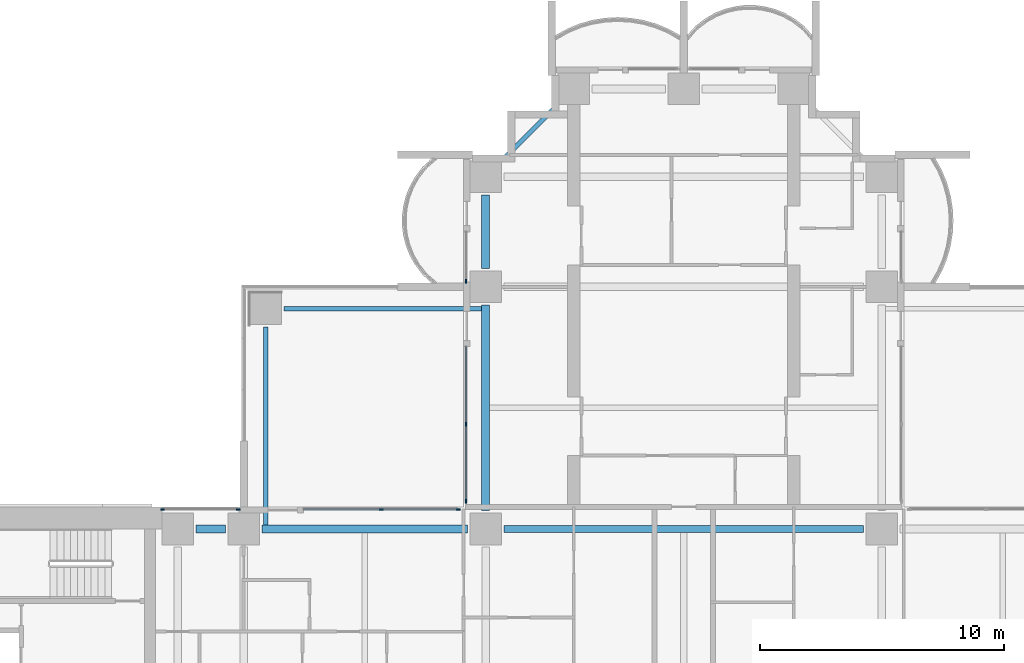
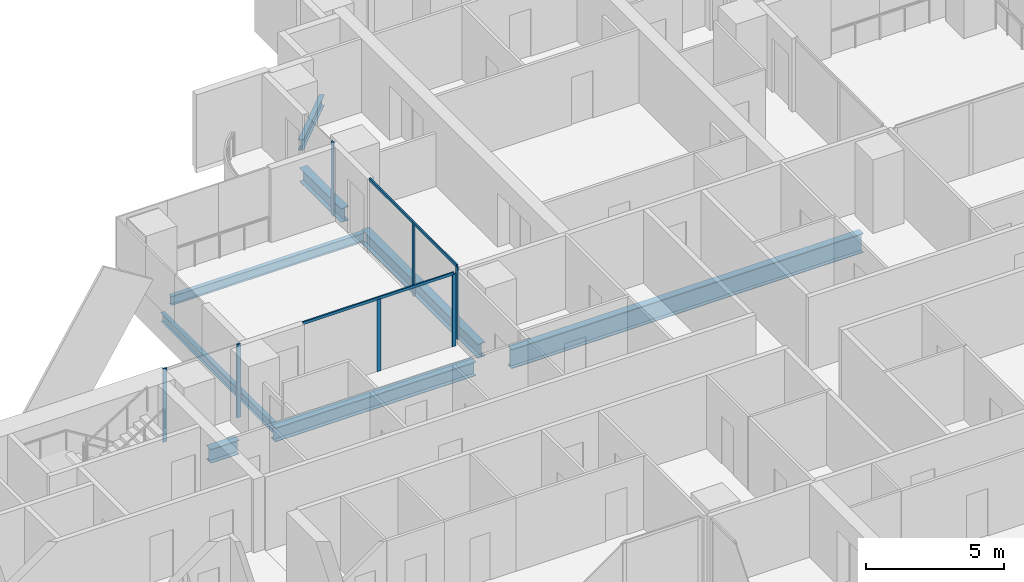
# One storey, part 6 of 23: 9 members, 8 beams, 4 elements without a shape of their own.
"""IFC4 building model written with IfcOpenShell, lengths in metres."""

import ifcopenshell
import ifcopenshell.guid

model = None  # the IFC model being written
_history = None  # IfcOwnerHistory: only IFC2X3 demands one
_inside = {}  # id of a spatial element -> (the spatial element, [elements in it])
_under = {}  # id of a project, library or spatial element -> (it, [spatial elements below it])
_declared = {}  # id of a project -> (the project, [libraries it declares])
_typed = {}  # id of a type object -> (the type object, [elements of that type])
_made_of = {}  # id of a material, layer set ... -> (it, [elements and type objects made of it])


def new_model(schema):
    """Start an empty IFC model of exactly this schema.

    Asked for "IFC4X3", IfcOpenShell would pick the latest addendum, in which some entities
    have other attributes; the version numbers below select the first issue.
    IFC2X3 requires an IfcOwnerHistory on every rooted entity: one is made here for all.
    """
    global model, _history
    if schema == "IFC4X3":
        model = ifcopenshell.file(schema_version=(4, 3, 0, 0))
    else:
        model = ifcopenshell.file(schema=schema)
    _inside.clear()
    _under.clear()
    _declared.clear()
    _typed.clear()
    _made_of.clear()
    _history = None
    if model.schema == "IFC2X3":
        org = make("IfcOrganization", Name="unknown")
        user = make(
            "IfcPersonAndOrganization",
            ThePerson=make("IfcPerson", FamilyName="unknown"),
            TheOrganization=org,
        )
        app = make(
            "IfcApplication",
            ApplicationDeveloper=org,
            Version="unknown",
            ApplicationFullName="unknown",
            ApplicationIdentifier="unknown",
        )
        _history = make(
            "IfcOwnerHistory",
            OwningUser=user,
            OwningApplication=app,
            ChangeAction="ADDED",
            CreationDate=0,
        )
    return model


def make(cls, **values):
    """One entity of the class cls with the attributes given. An attribute that is None is left unset."""
    return model.create_entity(
        cls, **{name: value for name, value in values.items() if value is not None}
    )


def rooted(cls, **values):
    """An entity with a GlobalId (a new one), such as an element, a storey or a relation."""
    return make(cls, GlobalId=ifcopenshell.guid.new(), OwnerHistory=_history, **values)


def si_unit(unit_type, name, prefix=None):
    """IfcSIUnit, for example si_unit("LENGTHUNIT", "METRE", prefix="MILLI")."""
    return make("IfcSIUnit", UnitType=unit_type, Prefix=prefix, Name=name)


def assignment(units):
    """IfcUnitAssignment: the units of a project."""
    return None if units is None else make("IfcUnitAssignment", Units=units)


def point(xyz):
    """IfcCartesianPoint."""
    return None if xyz is None else make("IfcCartesianPoint", Coordinates=xyz)


def direction(xyz):
    """IfcDirection."""
    return None if xyz is None else make("IfcDirection", DirectionRatios=xyz)


def frame(location, z_axis=None, x_axis=None):
    """IfcAxis2Placement3D, a coordinate frame: its origin and axes. An axis left out is left unset."""
    return make(
        "IfcAxis2Placement3D",
        Location=point(location),
        Axis=direction(z_axis),
        RefDirection=direction(x_axis),
    )


def frame_2d(location, x_axis=None):
    """IfcAxis2Placement2D, a coordinate frame in the plane: its origin and x axis."""
    return make(
        "IfcAxis2Placement2D", Location=point(location), RefDirection=direction(x_axis)
    )


def origin():
    """The frame at (0, 0, 0) with its axes left unset."""
    return frame((0.0, 0.0, 0.0))


def origin_2d():
    """The frame at (0, 0) in the plane with its x axis left unset."""
    return frame_2d((0.0, 0.0))


def place(relative_to, where):
    """IfcLocalPlacement: puts the frame where relative to a parent placement (None: the world)."""
    return make(
        "IfcLocalPlacement", PlacementRelTo=relative_to, RelativePlacement=where
    )


def context(
    kind, dimensions, precision=None, world=None, true_north=None, identifier=None
):
    """IfcGeometricRepresentationContext, for example the 3D "Model" context."""
    return make(
        "IfcGeometricRepresentationContext",
        ContextIdentifier=identifier,
        ContextType=kind,
        CoordinateSpaceDimension=dimensions,
        Precision=precision,
        WorldCoordinateSystem=world,
        TrueNorth=true_north,
    )


def subcontext(parent, identifier, kind, view, scale=None):
    """IfcGeometricRepresentationSubContext, for example "Body" below "Model"."""
    return make(
        "IfcGeometricRepresentationSubContext",
        ContextIdentifier=identifier,
        ContextType=kind,
        ParentContext=parent,
        TargetScale=scale,
        TargetView=view,
    )


def project(units=None, contexts=None):
    """IfcProject with its units and contexts."""
    return rooted(
        "IfcProject",
        Name="project",
        RepresentationContexts=contexts,
        UnitsInContext=assignment(units),
    )


def spatial(cls, under=None, at=None, **own):
    """A site, building, storey or space (cls), placed at a placement, below another one or the project."""
    s = rooted(cls, ObjectPlacement=at, **own)
    if under is not None:
        _under.setdefault(under.id(), (under, []))[1].append(s)
    return s


def profile(cls, at=None, kind="AREA", **sizes):
    """A parametric profile (cls). Its sizes go by their IFC names, for example OverallWidth=200.0."""
    return make(cls, ProfileType=kind, Position=at, **sizes)


def rectangle(**sizes):
    """IfcRectangleProfileDef."""
    return profile("IfcRectangleProfileDef", **sizes)


def i_section(**sizes):
    """IfcIShapeProfileDef."""
    return profile("IfcIShapeProfileDef", **sizes)


def extrude(swept, where, along, depth):
    """IfcExtrudedAreaSolid: the profile swept, set in the frame where, extruded along a direction by depth."""
    return make(
        "IfcExtrudedAreaSolid",
        SweptArea=swept,
        Position=where,
        ExtrudedDirection=direction(along),
        Depth=depth,
    )


def shape(context_of_items, identifier, shape_type, items):
    """IfcShapeRepresentation: the items that make up one representation, for example the "Body"."""
    return make(
        "IfcShapeRepresentation",
        ContextOfItems=context_of_items,
        RepresentationIdentifier=identifier,
        RepresentationType=shape_type,
        Items=items,
    )


def material(Name=None, Category=None):
    """IfcMaterial."""
    return make("IfcMaterial", Name=Name, Category=Category)


def material_profile(
    of_material, cross_section, Name=None, Category=None, Priority=None
):
    """IfcMaterialProfile: a cross section and its material."""
    return make(
        "IfcMaterialProfile",
        Name=Name,
        Material=of_material,
        Profile=cross_section,
        Priority=Priority,
        Category=Category,
    )


def profile_set(profiles, Name=None, composite=None):
    """IfcMaterialProfileSet."""
    return make(
        "IfcMaterialProfileSet",
        Name=Name,
        MaterialProfiles=profiles,
        CompositeProfile=composite,
    )


def made_of(thing, what):
    """Note that an element or type object is made of a material, layer set ...; save() writes the relation."""
    if what is not None:
        _made_of.setdefault(what.id(), (what, []))[1].append(thing)
    return thing


def type_object(cls, material=None, **own):
    """A type object (cls), such as IfcWallType, which elements share."""
    return made_of(rooted(cls, **own), material)


def element(
    cls,
    number,
    at=None,
    inside=None,
    cuts=None,
    type_object=None,
    material=None,
    context=None,
    identifier="Body",
    shape_type=None,
    held_by="IfcProductDefinitionShape",
    body=None,
    shapes=None,
    **own,
):
    """One element of the class cls, such as IfcWall. Its Tag is "e" and its number.

    at: its placement. inside: the storey or other place that contains it. cuts: it is an
    opening in that element (IfcRelVoidsElement). A single representation is given by context,
    identifier, shape_type and body (its items); several are given by shapes. held_by: the class
    of the entity that holds the representations. save() writes the other relations.
    """
    e = rooted(cls, Tag="e%d" % number, ObjectPlacement=at, **own)
    if body is not None:
        shapes = [shape(context, identifier, shape_type, body)]
    if shapes is not None:
        e.Representation = make(held_by, Representations=shapes)
    if inside is not None:
        _inside.setdefault(inside.id(), (inside, []))[1].append(e)
    if cuts is not None:
        rooted(
            "IfcRelVoidsElement", RelatingBuildingElement=cuts, RelatedOpeningElement=e
        )
    if type_object is not None:
        _typed.setdefault(type_object.id(), (type_object, []))[1].append(e)
    return made_of(e, material)


def aggregate(whole, parts):
    """IfcRelAggregates: a whole, such as a stair, and the parts it consists of."""
    return rooted("IfcRelAggregates", RelatingObject=whole, RelatedObjects=parts)


def save(model, path):
    """Write the relations noted so far, then the file.

    IfcRelAggregates (storeys below a building ...), IfcRelContainedInSpatialStructure (elements
    in a storey), IfcRelDefinesByType, IfcRelAssociatesMaterial and IfcRelDeclares: one each for
    every whole, place, type object, material and project.
    """
    for whole, parts in _under.values():
        aggregate(whole, parts)
    for where, things in _inside.values():
        rooted(
            "IfcRelContainedInSpatialStructure",
            RelatedElements=things,
            RelatingStructure=where,
        )
    for kind, things in _typed.values():
        rooted("IfcRelDefinesByType", RelatedObjects=things, RelatingType=kind)
    for what, things in _made_of.values():
        rooted("IfcRelAssociatesMaterial", RelatedObjects=things, RelatingMaterial=what)
    for by, libraries in _declared.values():
        rooted("IfcRelDeclares", RelatingContext=by, RelatedDefinitions=libraries)
    model.write(path)


model = new_model("IFC4")

# Units and contexts
model_context = context("Model", 3, precision=1e-05, world=origin(), true_north=direction((0.0, 1.0)))
body_context = subcontext(model_context, "Body", "Model", "MODEL_VIEW")
ifc_project = project(units=[si_unit("LENGTHUNIT", "METRE"), si_unit("AREAUNIT", "SQUARE_METRE"), si_unit("VOLUMEUNIT", "CUBIC_METRE"), si_unit("PLANEANGLEUNIT", "RADIAN"), si_unit("MASSUNIT", "GRAM", prefix="KILO")], contexts=[model_context])

# Site, building, storey
site_placement = place(None, origin())
site = spatial("IfcSite", under=ifc_project, at=site_placement, CompositionType="ELEMENT")
building_placement = place(site_placement, origin())
building = spatial("IfcBuilding", under=site, at=building_placement, Name="Perihelion Cross Residences", CompositionType="ELEMENT")
storey_placement = place(building_placement, frame((0.0, 0.0, 36.5)))
storey = spatial("IfcBuildingStorey", under=building, at=storey_placement, Name="L05", CompositionType="ELEMENT", Elevation=36.5)

# Curtain wall, member
ifc_material_1 = material(Name="Bronze anodised aluminium, tinted glazing", Category="aluminium")
curtain_wall_type = type_object("IfcCurtainWallType", Name="CW1", PredefinedType="NOTDEFINED", material=ifc_material_1)
curtain_wall_1_placement = place(storey_placement, origin())
curtain_wall_1 = element("IfcCurtainWall", 1, at=curtain_wall_1_placement, inside=storey, type_object=curtain_wall_type, Name="Curtain wall CW1 L05 north side west bay 1", PredefinedType="NOTDEFINED")
ifc_material_2 = material(Name="Bronze anodised aluminium", Category="aluminium")
ifc_material_profile_1 = material_profile(ifc_material_2, rectangle(XDim=0.06005859375, YDim=0.159912109375, at=origin_2d()), Name="CW1 mullion")
ifc_profile_set_1 = profile_set([ifc_material_profile_1], Name="Bronze anodised aluminium")
member_type_1 = type_object("IfcMemberType", Name="CW1 mullion", PredefinedType="MULLION", material=ifc_profile_set_1)
member_1_placement = place(storey_placement, frame((-8.89990234375, 18.22998046875, 0.0), z_axis=(0.0, 0.0, 1.0), x_axis=(1.0, 0.0, 0.0)))
member_1 = element("IfcMember", 2, at=member_1_placement, type_object=member_type_1, Name="CW1 mullion 2", PredefinedType="MULLION", context=body_context, shape_type="SweptSolid", body=[
    extrude(rectangle(XDim=0.06005859375, YDim=0.159912109375, at=origin_2d()), origin(), (0.0, 0.0, 1.0), 3.25),
])
aggregate(curtain_wall_1, [member_1])

# Curtain wall, members
curtain_wall_2_placement = place(storey_placement, origin())
curtain_wall_2 = element("IfcCurtainWall", 3, at=curtain_wall_2_placement, inside=storey, type_object=curtain_wall_type, Name="Curtain wall CW1 L05 north side west bay 2", PredefinedType="NOTDEFINED")
member_2_placement = place(storey_placement, frame((-8.89990234375, 12.375, 0.0), z_axis=(0.0, 0.0, 1.0), x_axis=(1.0, 0.0, 0.0)))
member_2 = element("IfcMember", 4, at=member_2_placement, type_object=member_type_1, Name="CW1 mullion 2", PredefinedType="MULLION", context=body_context, shape_type="SweptSolid", body=[
    extrude(rectangle(XDim=0.06005859375, YDim=0.159912109375, at=origin_2d()), origin(), (0.0, 0.0, 1.0), 3.18994140625),
])
member_3_placement = place(storey_placement, frame((-8.89990234375, 9.22998046875, 0.0), z_axis=(0.0, 0.0, 1.0), x_axis=(1.0, 0.0, 0.0)))
member_3 = element("IfcMember", 5, at=member_3_placement, type_object=member_type_1, Name="CW1 mullion 3", PredefinedType="MULLION", context=body_context, shape_type="SweptSolid", body=[
    extrude(rectangle(XDim=0.06005859375, YDim=0.159912109375, at=origin_2d()), origin(), (0.0, 0.0, 1.0), 3.18994140625),
])

curtain_wall_3_placement = place(storey_placement, origin())
curtain_wall_3 = element("IfcCurtainWall", 6, at=curtain_wall_3_placement, inside=storey, type_object=curtain_wall_type, Name="Curtain wall CW1 L05 west side north bay 1", PredefinedType="NOTDEFINED")
member_4_placement = place(storey_placement, frame((-9.22998046875, 8.89990234375, 0.0), z_axis=(0.0, 0.0, 1.0), x_axis=(0.0, -1.0, 0.0)))
member_4 = element("IfcMember", 7, at=member_4_placement, type_object=member_type_1, Name="CW1 mullion 1", PredefinedType="MULLION", context=body_context, shape_type="SweptSolid", body=[
    extrude(rectangle(XDim=0.06005859375, YDim=0.159912109375, at=origin_2d()), origin(), (0.0, 0.0, 1.0), 3.18994140625),
])
member_5_placement = place(storey_placement, frame((-12.375, 8.89990234375, 0.0), z_axis=(0.0, 0.0, 1.0), x_axis=(0.0, -1.0, 0.0)))
member_5 = element("IfcMember", 8, at=member_5_placement, type_object=member_type_1, Name="CW1 mullion 2", PredefinedType="MULLION", context=body_context, shape_type="SweptSolid", body=[
    extrude(rectangle(XDim=0.06005859375, YDim=0.159912109375, at=origin_2d()), origin(), (0.0, 0.0, 1.0), 3.18994140625),
])

curtain_wall_4_placement = place(storey_placement, origin())
curtain_wall_4 = element("IfcCurtainWall", 9, at=curtain_wall_4_placement, inside=storey, type_object=curtain_wall_type, Name="Curtain wall CW1 L05 west side north bay 2", PredefinedType="NOTDEFINED")
member_6_placement = place(storey_placement, frame((-18.22998046875, 8.89990234375, 0.0), z_axis=(0.0, 0.0, 1.0), x_axis=(0.0, -1.0, 0.0)))
member_6 = element("IfcMember", 10, at=member_6_placement, type_object=member_type_1, Name="CW1 mullion 1", PredefinedType="MULLION", context=body_context, shape_type="SweptSolid", body=[
    extrude(rectangle(XDim=0.06005859375, YDim=0.159912109375, at=origin_2d()), origin(), (0.0, 0.0, 1.0), 3.25),
])
member_7_placement = place(storey_placement, frame((-21.320068359375, 8.89990234375, 0.0), z_axis=(0.0, 0.0, 1.0), x_axis=(0.0, -1.0, 0.0)))
member_7 = element("IfcMember", 11, at=member_7_placement, type_object=member_type_1, Name="CW1 mullion 2", PredefinedType="MULLION", context=body_context, shape_type="SweptSolid", body=[
    extrude(rectangle(XDim=0.06005859375, YDim=0.159912109375, at=origin_2d()), origin(), (0.0, 0.0, 1.0), 3.25),
])
aggregate(curtain_wall_4, [member_6, member_7])

# Member
ifc_material_3 = material(Name="Bronze anodised aluminium", Category="aluminium")
ifc_material_profile_2 = material_profile(ifc_material_3, rectangle(XDim=0.06005859375, YDim=0.1201171875, at=origin_2d()), Name="CW1 transom")
ifc_profile_set_2 = profile_set([ifc_material_profile_2], Name="Bronze anodised aluminium")
member_type_2 = type_object("IfcMemberType", Name="CW1 transom", PredefinedType="USERDEFINED", material=ifc_profile_set_2)
member_8_placement = place(storey_placement, frame((-8.89990234375, 15.550048828125, 3.219970703125), z_axis=(0.0, -1.0, 0.0), x_axis=(1.0, 0.0, 0.0)))
member_8 = element("IfcMember", 12, at=member_8_placement, type_object=member_type_2, Name="CW1 head transom", ObjectType="TRANSOM", PredefinedType="USERDEFINED", context=body_context, shape_type="SweptSolid", body=[
    extrude(rectangle(XDim=0.06005859375, YDim=0.1201171875, at=origin_2d()), origin(), (0.0, 0.0, 1.0), 6.320068359375),
])

aggregate(curtain_wall_2, [member_2, member_3, member_8])

member_9_placement = place(storey_placement, frame((-9.22998046875, 8.89990234375, 3.219970703125), z_axis=(-1.0, 0.0, 0.0), x_axis=(0.0, -1.0, 0.0)))
member_9 = element("IfcMember", 13, at=member_9_placement, type_object=member_type_2, Name="CW1 head transom", ObjectType="TRANSOM", PredefinedType="USERDEFINED", context=body_context, shape_type="SweptSolid", body=[
    extrude(rectangle(XDim=0.06005859375, YDim=0.1201171875, at=origin_2d()), origin(), (0.0, 0.0, 1.0), 6.320068359375),
])

aggregate(curtain_wall_3, [member_4, member_5, member_9])

# Beams
ifc_material_4 = material(Name="Steel S355", Category="steel")
ifc_material_profile_3 = material_profile(ifc_material_4, i_section(OverallWidth=0.177978515625, OverallDepth=0.406005859375, WebThickness=0.0078125, FlangeThickness=0.0126953125, at=origin_2d()), Name="W410x60")
ifc_profile_set_3 = profile_set([ifc_material_profile_3], Name="Steel S355")
beam_type_1 = type_object("IfcBeamType", Name="Core edge beam W410x60", PredefinedType="BEAM", material=ifc_profile_set_3)
for number, where, z_axis, x_axis, name in (
    (14, (-17.10009765625, 8.262451171875, -0.452880859375), (0.0, 1.0, 0.0), (-1.0, 0.0, 0.0), "Core edge beam TB2 L05 corner no. 3"),
    (15, (-8.262451171875, 17.10009765625, -0.452880859375), (-1.0, 0.0, 0.0), (0.0, -1.0, 0.0), "Core edge beam TB2 L05 corner no. 4"),
):
    element("IfcBeam", number, at=place(storey_placement, frame(where, z_axis=z_axis, x_axis=x_axis)), inside=storey, type_object=beam_type_1, Name=name, PredefinedType="BEAM", context=body_context, shape_type="SweptSolid", body=[
        extrude(i_section(OverallWidth=0.177978515625, OverallDepth=0.406005859375, WebThickness=0.0078125, FlangeThickness=0.0126953125, at=origin_2d()), origin(), (0.0, 0.0, 1.0), 8.087646484375),
    ])
ifc_material_5 = material(Name="Steel S355", Category="steel")
ifc_material_profile_4 = material_profile(ifc_material_5, i_section(OverallWidth=0.324951171875, OverallDepth=0.616943359375, WebThickness=0.013916015625, FlangeThickness=0.021484375, at=origin_2d()), Name="W610x174")
ifc_profile_set_4 = profile_set([ifc_material_profile_4], Name="Steel S355")
beam_type_2 = type_object("IfcBeamType", Name="Edge beam W610x174", PredefinedType="SPANDREL", material=ifc_profile_set_4)
beam_1_placement = place(storey_placement, frame((-8.10009765625, 21.75, -0.55859375), z_axis=(0.0, -1.0, 0.0), x_axis=(1.0, 0.0, 0.0)))
element("IfcBeam", 16, at=beam_1_placement, inside=storey, type_object=beam_type_2, Name="Edge beam SB2 L05 no. 8", PredefinedType="SPANDREL", context=body_context, shape_type="SweptSolid", body=[
    extrude(i_section(OverallWidth=0.324951171875, OverallDepth=0.616943359375, WebThickness=0.013916015625, FlangeThickness=0.021484375, at=origin_2d()), origin(), (0.0, 0.0, 1.0), 3.0),
])
for number, where, z_axis, x_axis, name in (
    (17, (-8.10009765625, 17.25, -0.55859375), (0.0, -1.0, 0.0), (1.0, 0.0, 0.0), "Edge beam SB2 L05 no. 7"),
    (18, (-8.85009765625, 8.10009765625, -0.55859375), (-1.0, 0.0, 0.0), (0.0, -1.0, 0.0), "Edge beam SB2 L05 no. 9"),
):
    element("IfcBeam", number, at=place(storey_placement, frame(where, z_axis=z_axis, x_axis=x_axis)), inside=storey, type_object=beam_type_2, Name=name, PredefinedType="SPANDREL", context=body_context, shape_type="SweptSolid", body=[
        extrude(i_section(OverallWidth=0.324951171875, OverallDepth=0.616943359375, WebThickness=0.013916015625, FlangeThickness=0.021484375, at=origin_2d()), origin(), (0.0, 0.0, 1.0), 8.39990234375),
    ])
beam_2_placement = place(storey_placement, frame((-18.75, 8.10009765625, -0.55859375), z_axis=(-1.0, 0.0, 0.0), x_axis=(0.0, -1.0, 0.0)))
element("IfcBeam", 19, at=beam_2_placement, inside=storey, type_object=beam_type_2, Name="Edge beam SB2 L05 no. 2", PredefinedType="SPANDREL", context=body_context, shape_type="SweptSolid", body=[
    extrude(i_section(OverallWidth=0.324951171875, OverallDepth=0.616943359375, WebThickness=0.013916015625, FlangeThickness=0.021484375, at=origin_2d()), origin(), (0.0, 0.0, 1.0), 1.199951171875),
])
ifc_material_6 = material(Name="Steel S355", Category="steel")
ifc_material_profile_5 = material_profile(ifc_material_6, i_section(OverallWidth=0.2919921875, OverallDepth=0.85888671875, WebThickness=0.01708984375, FlangeThickness=0.031005859375, at=origin_2d()), Name="W840x251")
ifc_profile_set_5 = profile_set([ifc_material_profile_5], Name="Steel S355")
beam_type_3 = type_object("IfcBeamType", Name="Hub ring girder W840x251", PredefinedType="BEAM", material=ifc_profile_set_5)
beam_3_placement = place(storey_placement, frame((7.35009765625, 8.10009765625, -0.679443359375), z_axis=(-1.0, 0.0, 0.0), x_axis=(0.0, -1.0, 0.0)))
element("IfcBeam", 20, at=beam_3_placement, inside=storey, type_object=beam_type_3, Name="Hub ring girder RG2 L05 no. 4", PredefinedType="BEAM", context=body_context, shape_type="SweptSolid", body=[
    extrude(i_section(OverallWidth=0.2919921875, OverallDepth=0.85888671875, WebThickness=0.01708984375, FlangeThickness=0.031005859375, at=origin_2d()), origin(), (0.0, 0.0, 1.0), 14.7001953125),
])
ifc_material_7 = material(Name="Steel S355", Category="steel")
ifc_material_profile_6 = material_profile(ifc_material_7, i_section(OverallWidth=0.194091796875, OverallDepth=0.469970703125, WebThickness=0.0126953125, FlangeThickness=0.0205078125, at=origin_2d()), Name="W460x106")
ifc_profile_set_6 = profile_set([ifc_material_profile_6], Name="Steel S355")
beam_type_4 = type_object("IfcBeamType", Name="Serration edge beam W460x106", PredefinedType="BEAM", material=ifc_profile_set_6)
beam_4_placement = place(storey_placement, frame((-5.25, 25.35009765625, -0.485107421875), z_axis=(-0.707106781187, -0.707106781187, 0.0), x_axis=(0.707106781187, -0.707106781187, 0.0)))
element("IfcBeam", 21, at=beam_4_placement, inside=storey, type_object=beam_type_4, Name="Serration edge beam EB2 L05 no. 1", PredefinedType="BEAM", context=body_context, shape_type="SweptSolid", body=[
    extrude(i_section(OverallWidth=0.194091796875, OverallDepth=0.469970703125, WebThickness=0.0126953125, FlangeThickness=0.0205078125, at=origin_2d()), origin(), (0.0, 0.0, 1.0), 2.969970703125),
])

save(model, "model.ifc")
